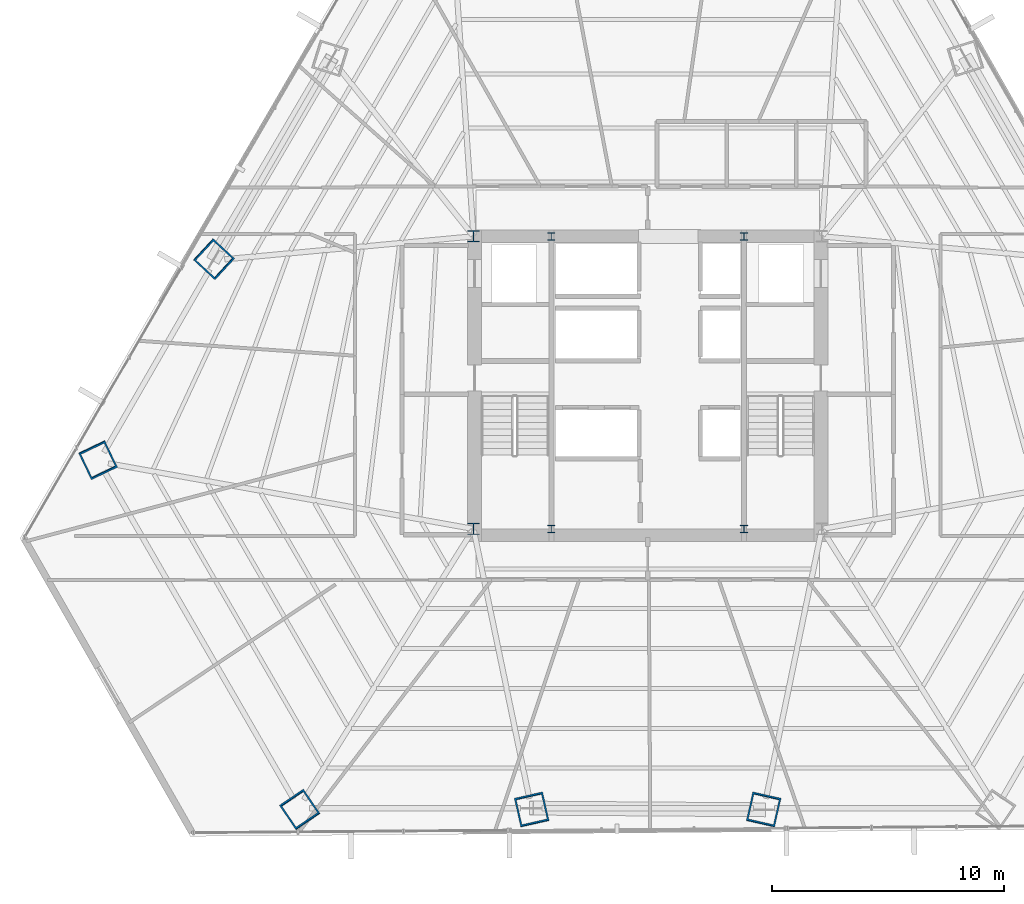
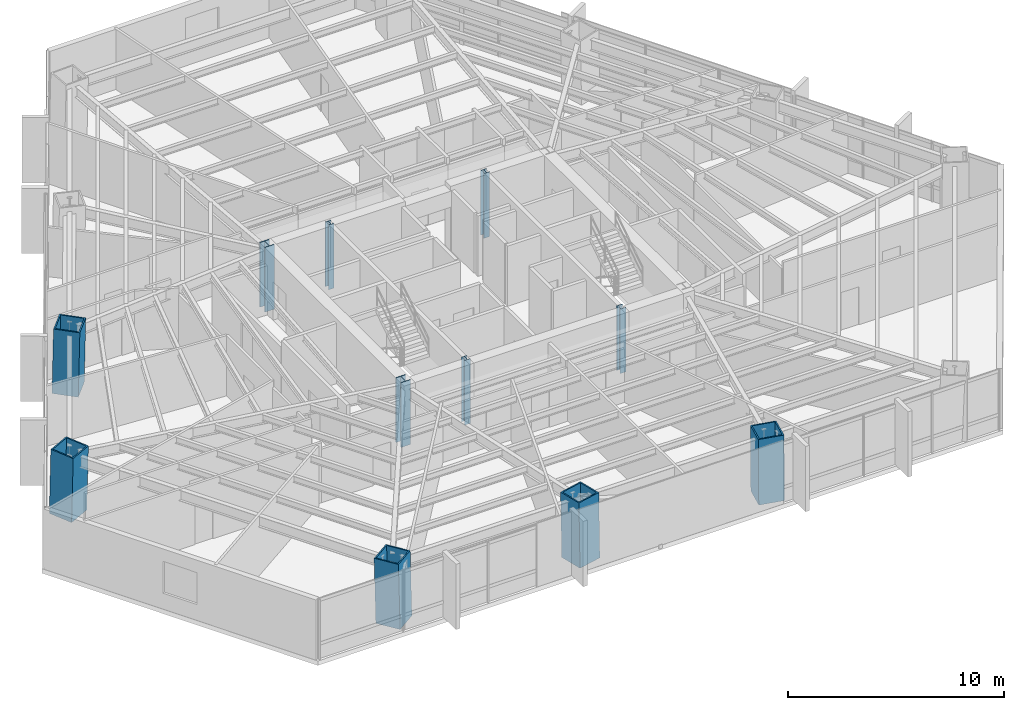
# One storey, part 1 of 35: 11 columns.
"""IFC4 building model written with IfcOpenShell, lengths in metres."""

from ifc_helpers import new_model, si_unit, direction, frame, origin, origin_2d, place, context, subcontext, project, spatial, hollow_rectangle, i_section, extrude, source, transform, mapped, material, material_profile, profile_set, type_object, type_shapes, element, save


model = new_model("IFC4")

# Units and contexts
model_context = context("Model", 3, precision=1e-05, world=origin(), true_north=direction((0.0, 1.0)))
body_context = subcontext(model_context, "Body", "Model", "MODEL_VIEW")
ifc_project = project(units=[si_unit("LENGTHUNIT", "METRE"), si_unit("AREAUNIT", "SQUARE_METRE"), si_unit("VOLUMEUNIT", "CUBIC_METRE"), si_unit("PLANEANGLEUNIT", "RADIAN"), si_unit("MASSUNIT", "GRAM", prefix="KILO")], contexts=[model_context])

# Site, building, storey
site_placement = place(None, origin())
site = spatial("IfcSite", under=ifc_project, at=site_placement, CompositionType="ELEMENT")
building_placement = place(site_placement, origin())
building = spatial("IfcBuilding", under=site, at=building_placement, Name="Caelisora Broadcast Tower", CompositionType="ELEMENT")
storey_placement = place(building_placement, frame((0.0, 0.0, 53.14990234375)))
storey = spatial("IfcBuildingStorey", under=building, at=storey_placement, Name="L13", CompositionType="ELEMENT", Elevation=53.14990234375)

# Columns
ifc_material_1 = material(Name="Steel Grade 350 L15 (AS/NZS 3678)", Category="steel")
ifc_material_profile_1 = material_profile(ifc_material_1, hollow_rectangle(XDim=1.25, YDim=1.25, WallThickness=0.070068359375, at=origin_2d()), Name="Steel Grade 350 L15 (AS/NZS 3678)")
ifc_profile_set_1 = profile_set([ifc_material_profile_1], Name="Steel Grade 350 L15 (AS/NZS 3678)")
column_type_1 = type_object("IfcColumnType", Name="MC02", PredefinedType="COLUMN", material=ifc_profile_set_1)
shared_shape_1 = source(origin(), body_context, "Body", "SweptSolid", [
    extrude(hollow_rectangle(XDim=1.25, YDim=1.25, WallThickness=0.070068359375, at=origin_2d()), origin(), (0.0, 0.0, 1.0), 3.65087890625),
])
for number, where, z_axis, x_axis, name in (
    (1, (19.314453125, 29.023681640625, 0.0), (0.014912316331, -0.013775502979, 0.999793907933), (0.678553674548, 0.734550822447, 0.0), "L13 column MC02"),
    (2, (33.0078125, 5.30615234375, 0.0), (-0.004480382638, 0.019793929266, 0.999794042058), (-0.975326687046, -0.220766513622, 0.0), "L13 column MC02"),
    (3, (42.9921875, 5.30615234375, 0.0), (0.004480382638, 0.019793929266, 0.999794042058), (-0.975326687046, 0.220766513622, 0.0), "L13 column MC02"),
):
    element("IfcColumn", number, at=place(storey_placement, frame(where, z_axis=z_axis, x_axis=x_axis)), inside=storey, type_object=column_type_1, Name=name, PredefinedType="COLUMN", context=body_context, shape_type="MappedRepresentation", body=[
        mapped(shared_shape_1, transform((0.0, 0.0, 0.0), scale=1.0)),
    ])
ifc_material_2 = material(Name="Steel Grade 350 (AS/NZS 3679.2)", Category="steel")
ifc_material_profile_2 = material_profile(ifc_material_2, i_section(OverallWidth=0.5, OverallDepth=0.5, WebThickness=0.028076171875, FlangeThickness=0.0400390625, at=origin_2d()), Name="Steel Grade 350 (AS/NZS 3679.2)")
ifc_profile_set_2 = profile_set([ifc_material_profile_2], Name="Steel Grade 350 (AS/NZS 3679.2)")
column_type_2 = type_object("IfcColumnType", Name="CC01", PredefinedType="COLUMN", material=ifc_profile_set_2)
shared_shape_2 = source(origin(), body_context, "Body", "SweptSolid", [
    extrude(i_section(OverallWidth=0.5, OverallDepth=0.5, WebThickness=0.028076171875, FlangeThickness=0.0400390625, at=origin_2d()), origin(), (0.0, 0.0, 1.0), 3.650146484375),
])
type_shapes(column_type_2, [shared_shape_2])
for number, where, z_axis, x_axis, name in (
    (4, (30.5, 17.39990234375, 0.0), (0.0, 0.0, 1.0), (1.0, 0.0, 0.0), "L13 column CC01"),
    (5, (30.5, 30.0, 0.0), (0.0, 0.0, 1.0), (1.0, 0.0, 0.0), "L13 column CC01"),
):
    element("IfcColumn", number, at=place(storey_placement, frame(where, z_axis=z_axis, x_axis=x_axis)), inside=storey, type_object=column_type_2, Name=name, PredefinedType="COLUMN", context=body_context, shape_type="MappedRepresentation", body=[
        mapped(shared_shape_2, transform((0.0, 0.0, 0.0), scale=1.0)),
    ])
ifc_material_3 = material(Name="Steel Grade 350 (AS/NZS 3679.1)", Category="steel")
ifc_material_profile_3 = material_profile(ifc_material_3, i_section(OverallWidth=0.306884765625, OverallDepth=0.314697265625, WebThickness=0.011962890625, FlangeThickness=0.018798828125, at=origin_2d()), Name="Steel Grade 350 (AS/NZS 3679.1)")
ifc_profile_set_3 = profile_set([ifc_material_profile_3], Name="Steel Grade 350 (AS/NZS 3679.1)")
column_type_3 = type_object("IfcColumnType", Name="CC04", PredefinedType="COLUMN", material=ifc_profile_set_3)
shared_shape_3 = source(origin(), body_context, "Body", "SweptSolid", [
    extrude(i_section(OverallWidth=0.306884765625, OverallDepth=0.314697265625, WebThickness=0.011962890625, FlangeThickness=0.018798828125, at=origin_2d()), origin(), (0.0, 0.0, 1.0), 3.650146484375),
])
type_shapes(column_type_3, [shared_shape_3])
for number, where, z_axis, x_axis, name in (
    (6, (33.85009765625, 17.39990234375, 0.0), (0.0, 0.0, 1.0), (1.0, 0.0, 0.0), "L13 column CC04"),
    (7, (42.14990234375, 17.39990234375, 0.0), (0.0, 0.0, 1.0), (1.0, 0.0, 0.0), "L13 column CC04"),
    (8, (33.85009765625, 30.0, 0.0), (0.0, 0.0, 1.0), (1.0, 0.0, 0.0), "L13 column CC04"),
    (9, (42.14990234375, 30.0, 0.0), (0.0, 0.0, 1.0), (1.0, 0.0, 0.0), "L13 column CC04"),
):
    element("IfcColumn", number, at=place(storey_placement, frame(where, z_axis=z_axis, x_axis=x_axis)), inside=storey, type_object=column_type_3, Name=name, PredefinedType="COLUMN", context=body_context, shape_type="MappedRepresentation", body=[
        mapped(shared_shape_3, transform((0.0, 0.0, 0.0), scale=1.0)),
    ])
shared_shape_4 = source(origin(), body_context, "Body", "SweptSolid", [
    extrude(hollow_rectangle(XDim=1.25, YDim=1.25, WallThickness=0.070068359375, at=origin_2d()), origin(), (0.0, 0.0, 1.0), 3.651123046875),
])
type_shapes(column_type_1, [shared_shape_1, shared_shape_4])
for number, where, z_axis, x_axis, name in (
    (10, (14.322509765625, 20.376953125, 0.0), (0.010364224337, -0.0215977062, 0.999713019792), (0.901566609123, 0.432640323264, 0.0), "L13 column MC02"),
    (11, (23.0234375, 5.30615234375, 0.0), (-0.013440068782, 0.019792340097, 0.999713772949), (-0.827290216258, -0.561774775229, 0.0), "L13 column MC02"),
):
    element("IfcColumn", number, at=place(storey_placement, frame(where, z_axis=z_axis, x_axis=x_axis)), inside=storey, type_object=column_type_1, Name=name, PredefinedType="COLUMN", context=body_context, shape_type="MappedRepresentation", body=[
        mapped(shared_shape_4, transform((0.0, 0.0, 0.0), scale=1.0)),
    ])

save(model, "model.ifc")
